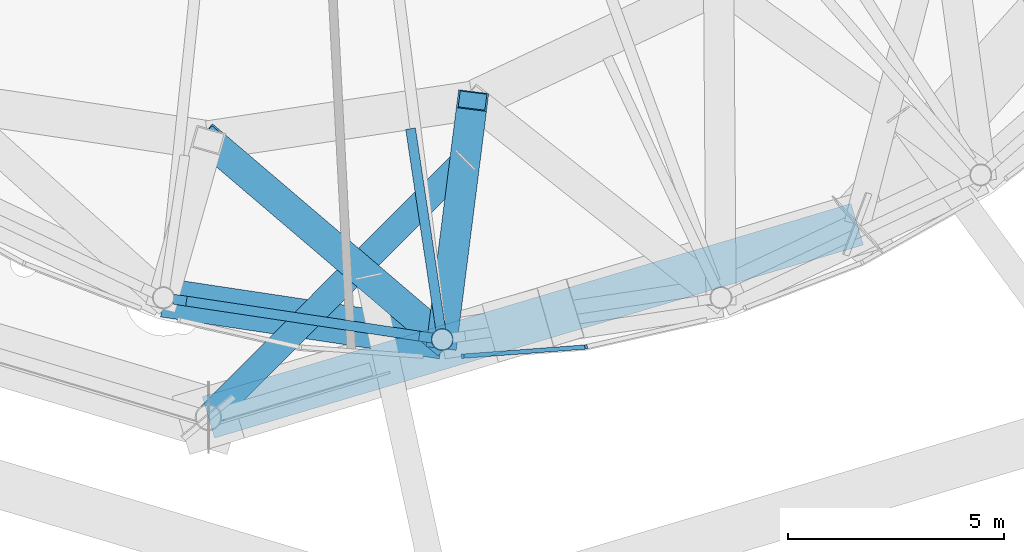
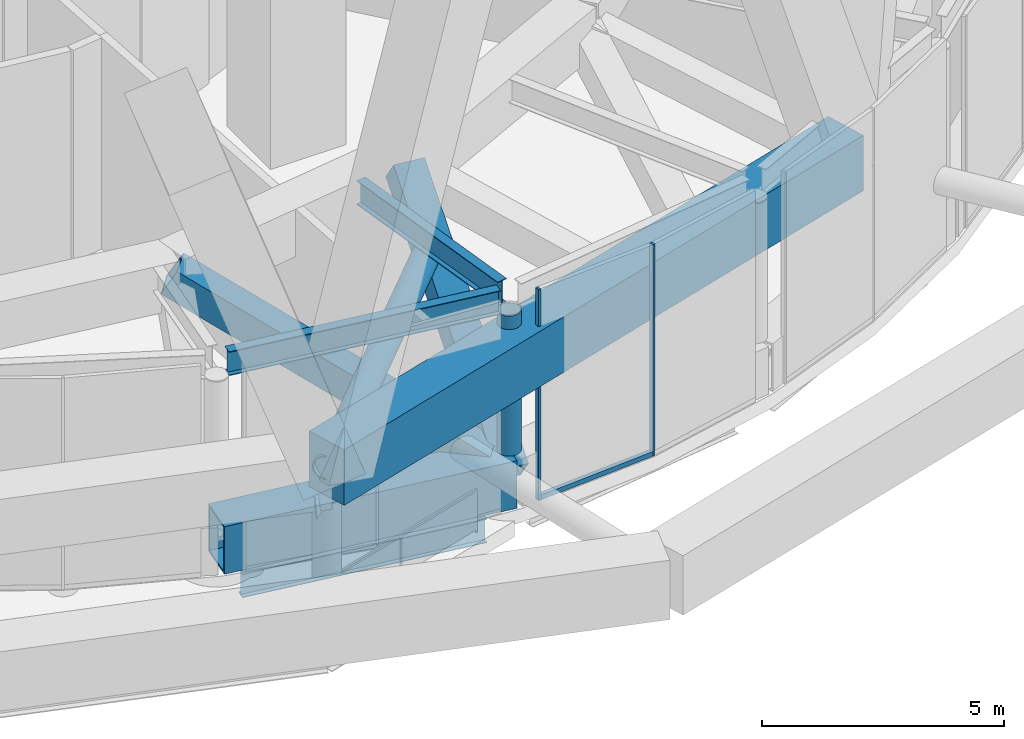
# One storey, part 14 of 60: 6 beams, 6 members, 2 elements without a shape of their own.
"""IFC4 building model written with IfcOpenShell, lengths in metres."""

from ifc_helpers import new_model, si_unit, direction, frame, origin, origin_2d, place, context, subcontext, project, spatial, rectangle, hollow_rectangle, hollow_circle, i_section, extrude, material, layer, layer_set, material_profile, profile_set, type_object, element, aggregate, save


model = new_model("IFC4")

# Units and contexts
model_context = context("Model", 3, precision=1e-05, world=origin(), true_north=direction((0.0, 1.0)))
body_context = subcontext(model_context, "Body", "Model", "MODEL_VIEW")
ifc_project = project(units=[si_unit("LENGTHUNIT", "METRE"), si_unit("AREAUNIT", "SQUARE_METRE"), si_unit("VOLUMEUNIT", "CUBIC_METRE"), si_unit("PLANEANGLEUNIT", "RADIAN"), si_unit("MASSUNIT", "GRAM", prefix="KILO")], contexts=[model_context])

# Site, building, storey
site_placement = place(None, origin())
site = spatial("IfcSite", under=ifc_project, at=site_placement, CompositionType="ELEMENT")
building_placement = place(site_placement, origin())
building = spatial("IfcBuilding", under=site, at=building_placement, Name="Nagisa Residences", CompositionType="ELEMENT")
storey_placement = place(building_placement, frame((0.0, 0.0, 206.60009765625)))
storey = spatial("IfcBuildingStorey", under=building, at=storey_placement, Name="L52", CompositionType="ELEMENT", Elevation=206.60009765625)

# Beams
ifc_material_1 = material(Name="Steel ASTM A572 Gr 50", Category="steel")
ifc_material_profile_1 = material_profile(ifc_material_1, hollow_rectangle(XDim=0.89990234375, YDim=1.199951171875, WallThickness=0.044921875, at=origin_2d()), Name="BX 900x1200x45")
ifc_profile_set_1 = profile_set([ifc_material_profile_1], Name="Steel ASTM A572 Gr 50")
beam_type_1 = type_object("IfcBeamType", Name="Belt chord 4 BX 900x1200x45", PredefinedType="BEAM", material=ifc_profile_set_1)
beam_1_placement = place(storey_placement, frame((-2.838134765625, -27.408203125, 0.599853515625), z_axis=(0.988912409684, -0.148499986438, 0.0), x_axis=(0.148499986438, 0.988912409684, 0.0)))
element("IfcBeam", 1, at=beam_1_placement, inside=storey, type_object=beam_type_1, Name="beam:L52:bt4b18", PredefinedType="BEAM", context=body_context, shape_type="SweptSolid", body=[
    extrude(hollow_rectangle(XDim=0.89990234375, YDim=1.199951171875, WallThickness=0.044921875, at=origin_2d()), origin(), (0.0, 0.0, 1.0), 6.510498046875),
])
ifc_material_2 = material(Name="Steel ASTM A572 Gr 50", Category="steel")
ifc_material_profile_2 = material_profile(ifc_material_2, hollow_rectangle(XDim=0.699951171875, YDim=0.699951171875, WallThickness=0.0400390625, at=origin_2d()), Name="BX 700x700x40")
ifc_profile_set_2 = profile_set([ifc_material_profile_2], Name="Steel ASTM A572 Gr 50")
beam_type_2 = type_object("IfcBeamType", Name="Belt diagonal 4 BX 700x700x40", PredefinedType="BEAM", material=ifc_profile_set_2)
beam_2_placement = place(storey_placement, frame((3.60009765625, -28.375, 0.599853515625), z_axis=(-0.657343685601, 0.560283037417, 0.503966464145), x_axis=(-0.648683540744, -0.761058252677, 0.0)))
element("IfcBeam", 2, at=beam_2_placement, inside=storey, type_object=beam_type_2, Name="beam:L52:bt4da19", PredefinedType="BEAM", context=body_context, shape_type="SweptSolid", body=[
    extrude(hollow_rectangle(XDim=0.699951171875, YDim=0.699951171875, WallThickness=0.0400390625, at=origin_2d()), origin(), (0.0, 0.0, 1.0), 8.215087890625),
])
beam_3_placement = place(storey_placement, frame((3.60009765625, -28.375, 0.599853515625), z_axis=(0.100968990435, 0.795852509682, 0.597012601043), x_axis=(-0.992047999114, 0.125860110655, 0.0)))
element("IfcBeam", 3, at=beam_3_placement, inside=storey, type_object=beam_type_2, Name="beam:L52:bt4db19", PredefinedType="BEAM", context=body_context, shape_type="SweptSolid", body=[
    extrude(hollow_rectangle(XDim=0.699951171875, YDim=0.699951171875, WallThickness=0.0400390625, at=origin_2d()), origin(), (0.0, 0.0, 1.0), 6.934814453125),
])

# Curtain wall, member
ifc_material_3 = material(Name="Aluminium curtain wall system", Category="aluminium")
ifc_layer = layer(ifc_material_3, 0.159912109375)
ifc_layer_set = layer_set([ifc_layer], Name="CW5 CURTAIN WALL")
curtain_wall_type = type_object("IfcCurtainWallType", Name="CW5 CURTAIN WALL", PredefinedType="NOTDEFINED", material=ifc_layer_set)
curtain_wall_1_placement = place(storey_placement, origin())
curtain_wall_1 = element("IfcCurtainWall", 4, at=curtain_wall_1_placement, inside=storey, type_object=curtain_wall_type, Name="cw:CW5:L52:36", PredefinedType="NOTDEFINED")
ifc_material_4 = material(Name="Aluminium", Category="aluminium")
ifc_material_profile_3 = material_profile(ifc_material_4, rectangle(XDim=0.10009765625, YDim=0.06005859375, at=origin_2d()), Name="CW5 MULLION 100x60")
ifc_profile_set_3 = profile_set([ifc_material_profile_3], Name="Aluminium")
member_type_1 = type_object("IfcMemberType", Name="CW5 MULLION 100x60", PredefinedType="MULLION", material=ifc_profile_set_3)
member_1_placement = place(storey_placement, frame((4.07275390625, -28.759521484375, 0.0), z_axis=(0.0, 0.0, 1.0), x_axis=(-0.074377355493, 0.997230168512, 0.0)))
member_1 = element("IfcMember", 5, at=member_1_placement, type_object=member_type_1, Name="CW5 mullion", PredefinedType="MULLION", context=body_context, shape_type="SweptSolid", body=[
    extrude(rectangle(XDim=0.10009765625, YDim=0.06005859375, at=origin_2d()), origin(), (0.0, 0.0, 1.0), 5.33984375),
])

curtain_wall_2_placement = place(storey_placement, origin())
curtain_wall_2 = element("IfcCurtainWall", 6, at=curtain_wall_2_placement, inside=storey, type_object=curtain_wall_type, Name="cw:CW5:L52:37", PredefinedType="NOTDEFINED")
member_2_placement = place(storey_placement, frame((6.923583984375, -28.543212890625, 0.0), z_axis=(0.0, 0.0, 1.0), x_axis=(-0.2207639201, 0.975327274089, 0.0)))
member_2 = element("IfcMember", 7, at=member_2_placement, type_object=member_type_1, Name="CW5 mullion", PredefinedType="MULLION", context=body_context, shape_type="SweptSolid", body=[
    extrude(rectangle(XDim=0.10009765625, YDim=0.06005859375, at=origin_2d()), origin(), (0.0, 0.0, 1.0), 5.33984375),
])
aggregate(curtain_wall_2, [member_2])

# Member
ifc_material_5 = material(Name="Aluminium", Category="aluminium")
ifc_material_profile_4 = material_profile(ifc_material_5, rectangle(XDim=0.10009765625, YDim=0.1201171875, at=origin_2d()), Name="CW5 TRANSOM 100x120")
ifc_profile_set_4 = profile_set([ifc_material_profile_4], Name="Aluminium")
member_type_2 = type_object("IfcMemberType", Name="CW5 TRANSOM 100x120", PredefinedType="USERDEFINED", material=ifc_profile_set_4)
member_3_placement = place(storey_placement, frame((4.042724609375, -28.76171875, 0.059814453125), z_axis=(0.997228875819, 0.07439468551, 0.0), x_axis=(-0.07439468551, 0.997228875819, 0.0)))
member_3 = element("IfcMember", 8, at=member_3_placement, type_object=member_type_2, Name="CW5 transom", ObjectType="TRANSOM", PredefinedType="USERDEFINED", context=body_context, shape_type="SweptSolid", body=[
    extrude(rectangle(XDim=0.10009765625, YDim=0.1201171875, at=origin_2d()), origin(), (0.0, 0.0, 1.0), 2.87158203125),
])

aggregate(curtain_wall_1, [member_1, member_3])

# Members
ifc_material_6 = material(Name="Concrete C80", Category="concrete")
ifc_material_profile_5 = material_profile(ifc_material_6, rectangle(XDim=1.0, YDim=1.39990234375, at=origin_2d()), Name="C80 1000x1400")
ifc_profile_set_5 = profile_set([ifc_material_profile_5], Name="Concrete C80")
member_type_3 = type_object("IfcMemberType", Name="Cage ring 5 C80 1000x1400", PredefinedType="CHORD", material=ifc_profile_set_5)
member_4_placement = place(storey_placement, frame((-1.800048828125, -30.17236328125, 3.699951171875), z_axis=(0.958450197919, 0.285259913253, 0.0), x_axis=(-0.285259913253, 0.958450197919, 0.0)))
element("IfcMember", 9, at=member_4_placement, inside=storey, type_object=member_type_3, Name="beam:L52:cg5r010", PredefinedType="CHORD", context=body_context, shape_type="SweptSolid", body=[
    extrude(rectangle(XDim=1.0, YDim=1.39990234375, at=origin_2d()), origin(), (0.0, 0.0, 1.0), 15.634765625),
])
ifc_material_7 = material(Name="Steel ASTM A572 Gr 65", Category="steel")
ifc_material_profile_6 = material_profile(ifc_material_7, hollow_circle(Radius=0.304931640625, WallThickness=0.02490234375, at=origin_2d()), Name="CHS 610x25")
ifc_profile_set_6 = profile_set([ifc_material_profile_6], Name="Steel ASTM A572 Gr 65")
member_type_4 = type_object("IfcMemberType", Name="Cage strut CHS 610x25", PredefinedType="STRUT", material=ifc_profile_set_6)
member_5_placement = place(storey_placement, frame((-1.800048828125, -30.17236328125, 3.699951171875), z_axis=(0.706786329095, 0.707427088119, 0.0), x_axis=(-0.707427088119, 0.706786329095, 0.0)))
element("IfcMember", 10, at=member_5_placement, inside=storey, type_object=member_type_4, Name="mem:L52:bt4st5b10", PredefinedType="STRUT", context=body_context, shape_type="SweptSolid", body=[
    extrude(hollow_circle(Radius=0.304931640625, WallThickness=0.02490234375, at=origin_2d()), origin(), (0.0, 0.0, 1.0), 8.38232421875),
])

# Beam
ifc_material_8 = material(Name="Steel ASTM A572 Gr 50", Category="steel")
ifc_material_profile_7 = material_profile(ifc_material_8, i_section(OverallWidth=0.22802734375, OverallDepth=0.60302734375, WebThickness=0.010498046875, FlangeThickness=0.014892578125, at=origin_2d()), Name="W610x101")
ifc_profile_set_7 = profile_set([ifc_material_profile_7], Name="Steel ASTM A572 Gr 50")
beam_type_3 = type_object("IfcBeamType", Name="Garden edge beam W610x101", PredefinedType="BEAM", material=ifc_profile_set_7)
beam_4_placement = place(storey_placement, frame((-2.606689453125, -27.44287109375, 5.038330078125), z_axis=(0.988908180102, -0.148528149951, 0.0), x_axis=(0.148528149951, 0.988908180102, 0.0)))
element("IfcBeam", 11, at=beam_4_placement, inside=storey, type_object=beam_type_3, Name="beam:L52:bt4ge18", PredefinedType="BEAM", context=body_context, shape_type="SweptSolid", body=[
    extrude(i_section(OverallWidth=0.22802734375, OverallDepth=0.60302734375, WebThickness=0.010498046875, FlangeThickness=0.014892578125, at=origin_2d()), origin(), (0.0, 0.0, 1.0), 6.04248046875),
])

# Member
ifc_material_9 = material(Name="Steel ASTM A572 Gr 65", Category="steel")
ifc_material_profile_8 = material_profile(ifc_material_9, hollow_circle(Radius=0.25390625, WallThickness=0.02001953125, at=origin_2d()), Name="CHS 508x20")
ifc_profile_set_8 = profile_set([ifc_material_profile_8], Name="Steel ASTM A572 Gr 65")
member_type_5 = type_object("IfcMemberType", Name="Garden edge post CHS 508x20", PredefinedType="POST", material=ifc_profile_set_8)
member_6_placement = place(storey_placement, frame((3.60009765625, -28.375, 1.199951171875), z_axis=(0.0, 0.0, 1.0), x_axis=(1.0, 0.0, 0.0)))
element("IfcMember", 12, at=member_6_placement, inside=storey, type_object=member_type_5, Name="mem:L52:gp419", PredefinedType="POST", context=body_context, shape_type="SweptSolid", body=[
    extrude(hollow_circle(Radius=0.25390625, WallThickness=0.02001953125, at=origin_2d()), origin(), (0.0, 0.0, 1.0), 3.536865234375),
])

# Beams
ifc_material_10 = material(Name="Steel ASTM A572 Gr 50", Category="steel")
ifc_material_profile_9 = material_profile(ifc_material_10, i_section(OverallWidth=0.22802734375, OverallDepth=0.60302734375, WebThickness=0.010498046875, FlangeThickness=0.014892578125, at=origin_2d()), Name="W610x101")
ifc_profile_set_9 = profile_set([ifc_material_profile_9], Name="Steel ASTM A572 Gr 50")
beam_type_4 = type_object("IfcBeamType", Name="Garden radial beam W610x101", PredefinedType="BEAM", material=ifc_profile_set_9)
beam_5_placement = place(storey_placement, frame((3.565185546875, -28.1435546875, 5.038330078125), z_axis=(-0.148523738066, 0.988908842731, 0.0), x_axis=(-0.988908842731, -0.148523738066, 0.0)))
element("IfcBeam", 13, at=beam_5_placement, inside=storey, type_object=beam_type_4, Name="beam:L52:bt4gr19", PredefinedType="BEAM", context=body_context, shape_type="SweptSolid", body=[
    extrude(i_section(OverallWidth=0.22802734375, OverallDepth=0.60302734375, WebThickness=0.010498046875, FlangeThickness=0.014892578125, at=origin_2d()), origin(), (0.0, 0.0, 1.0), 4.689697265625),
])
ifc_material_11 = material(Name="Steel ASTM A572 Gr 50", Category="steel")
ifc_material_profile_10 = material_profile(ifc_material_11, i_section(OverallWidth=0.22802734375, OverallDepth=0.60302734375, WebThickness=0.010498046875, FlangeThickness=0.014892578125, at=origin_2d()), Name="W610x101")
ifc_profile_set_10 = profile_set([ifc_material_profile_10], Name="Steel ASTM A572 Gr 50")
beam_type_5 = type_object("IfcBeamType", Name="Perimeter ring beam W610x101", PredefinedType="BEAM", material=ifc_profile_set_10)
beam_6_placement = place(storey_placement, frame((-2.30810546875, -27.48779296875, -0.651611328125), z_axis=(0.988911312658, -0.148507291732, 0.0), x_axis=(0.148507291732, 0.988911312658, 0.0)))
element("IfcBeam", 14, at=beam_6_placement, inside=storey, type_object=beam_type_5, Name="beam:L52:pb18", PredefinedType="BEAM", context=body_context, shape_type="SweptSolid", body=[
    extrude(i_section(OverallWidth=0.22802734375, OverallDepth=0.60302734375, WebThickness=0.010498046875, FlangeThickness=0.014892578125, at=origin_2d()), origin(), (0.0, 0.0, 1.0), 5.438232421875),
])

save(model, "model.ifc")
